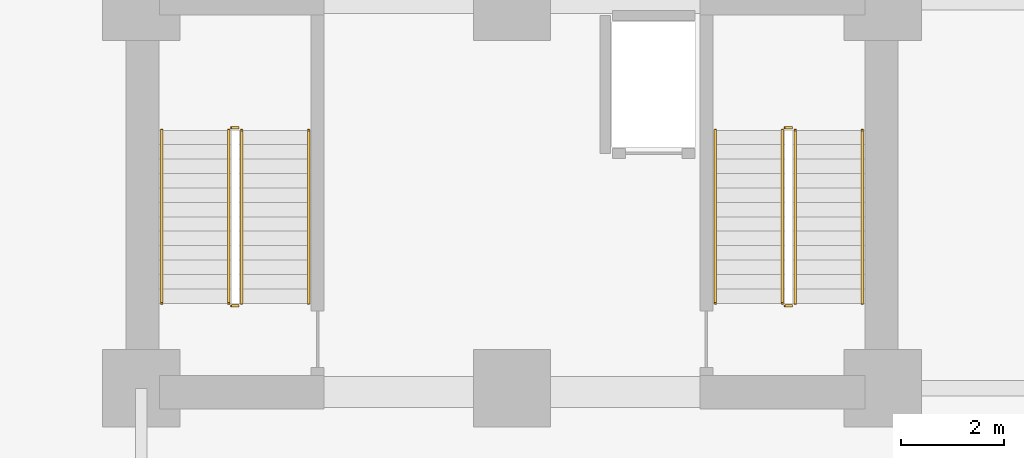
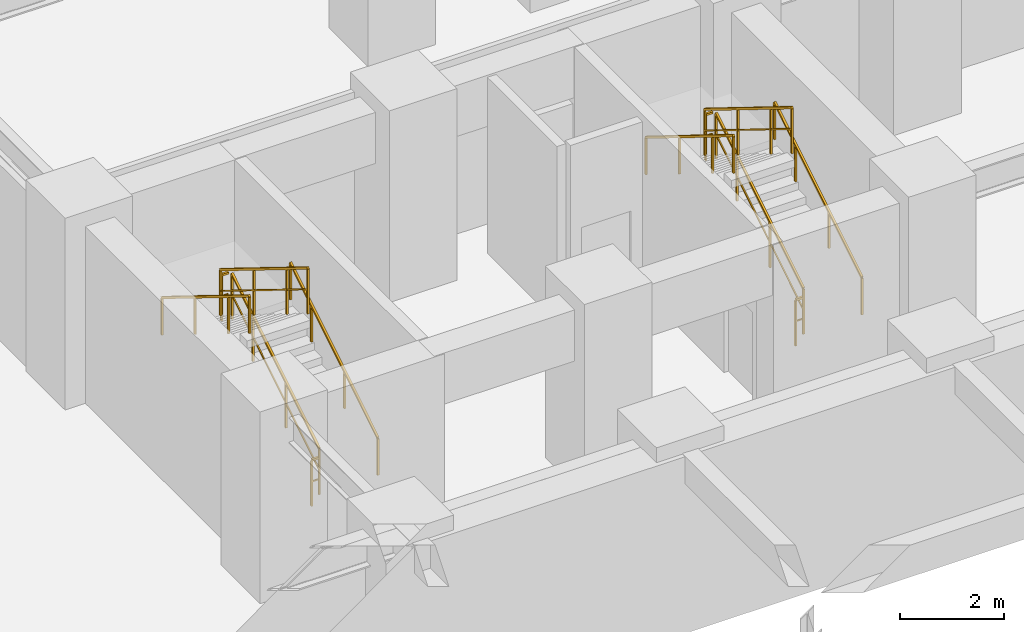
# One storey, part 10 of 11: 12 railings.
"""IFC4 building model written with IfcOpenShell, lengths in metres."""

from ifc_helpers import new_model, si_unit, direction, frame, origin, origin_2d, place, context, subcontext, project, spatial, rectangle, extrude, material, type_object, element, save


model = new_model("IFC4")

# Units and contexts
model_context = context("Model", 3, precision=1e-05, world=origin(), true_north=direction((0.0, 1.0)))
body_context = subcontext(model_context, "Body", "Model", "MODEL_VIEW")
ifc_project = project(units=[si_unit("LENGTHUNIT", "METRE"), si_unit("AREAUNIT", "SQUARE_METRE"), si_unit("VOLUMEUNIT", "CUBIC_METRE"), si_unit("PLANEANGLEUNIT", "RADIAN"), si_unit("MASSUNIT", "GRAM", prefix="KILO")], contexts=[model_context])

# Site, building, storey
site_placement = place(None, origin())
site = spatial("IfcSite", under=ifc_project, at=site_placement, CompositionType="ELEMENT")
building_placement = place(site_placement, origin())
building = spatial("IfcBuilding", under=site, at=building_placement, Name="Kaliganga Portal Commons", CompositionType="ELEMENT")
storey_placement = place(building_placement, frame((0.0, 0.0, -4.5)))
storey = spatial("IfcBuildingStorey", under=building, at=storey_placement, Name="B1", CompositionType="ELEMENT", Elevation=-4.5)

# Railings
ifc_material_1 = material(Name="Galvanized Painted Steel Balustrade", Category="steel")
railing_type_1 = type_object("IfcRailingType", Name="RLG-STAIR-GRD", PredefinedType="GUARDRAIL", material=ifc_material_1)
railing_1_placement = place(storey_placement, frame((37.949951171875, 8.699951171875, 0.173095703125)))
element("IfcRailing", 1, at=railing_1_placement, inside=storey, type_object=railing_type_1, Name="B1 ST-B1 stair guard 1", PredefinedType="GUARDRAIL", context=body_context, shape_type="SweptSolid", body=[
    extrude(rectangle(XDim=0.048095703125, YDim=0.048095703125, at=origin_2d()), frame((0.0, 0.0, 1.07177734375), z_axis=(0.0, 0.850623216509, 0.525775754039), x_axis=(-1.0, 0.0, 0.0)), (0.0, 0.0, 1.0), 3.9501953125),
    extrude(rectangle(XDim=0.028076171875, YDim=0.028076171875, at=origin_2d()), frame((0.0, 0.0, 0.572021484375), z_axis=(0.0, 0.850623216509, 0.525775754039), x_axis=(-1.0, 0.0, 0.0)), (0.0, 0.0, 1.0), 3.9501953125),
    extrude(rectangle(XDim=0.0419921875, YDim=0.0419921875, at=origin_2d()), origin(), (0.0, 0.0, 1.0), 1.052001953125),
    extrude(rectangle(XDim=0.0419921875, YDim=0.0419921875, at=origin_2d()), frame((0.0, 1.27587890625, 0.78857421875)), (0.0, 0.0, 1.0), 1.052001953125),
    extrude(rectangle(XDim=0.0419921875, YDim=0.0419921875, at=origin_2d()), frame((0.0, 2.5517578125, 1.577392578125)), (0.0, 0.0, 1.0), 1.052001953125),
    extrude(rectangle(XDim=0.0419921875, YDim=0.0419921875, at=origin_2d()), frame((0.0, 3.360107421875, 2.076904296875)), (0.0, 0.0, 1.0), 1.052001953125),
])
railing_2_placement = place(storey_placement, frame((37.89990234375, 12.110107421875, 2.25)))
element("IfcRailing", 2, at=railing_2_placement, inside=storey, type_object=railing_type_1, Name="B1 ST-B1 stair guard 2", PredefinedType="GUARDRAIL", context=body_context, shape_type="SweptSolid", body=[
    extrude(rectangle(XDim=0.048095703125, YDim=0.048095703125, at=origin_2d()), frame((0.0, 0.0, 1.076171875), z_axis=(-1.0, 0.0, 0.0), x_axis=(0.0, -1.0, 0.0)), (0.0, 0.0, 1.0), 0.14990234375),
    extrude(rectangle(XDim=0.028076171875, YDim=0.028076171875, at=origin_2d()), frame((0.0, 0.0, 0.572021484375), z_axis=(-1.0, 0.0, 0.0), x_axis=(0.0, -1.0, 0.0)), (0.0, 0.0, 1.0), 0.14990234375),
    extrude(rectangle(XDim=0.0419921875, YDim=0.0419921875, at=origin_2d()), frame((-0.14990234375, 0.0, 0.0)), (0.0, 0.0, 1.0), 1.052001953125),
])
railing_3_placement = place(storey_placement, frame((37.699951171875, 12.06005859375, 2.423095703125)))
element("IfcRailing", 3, at=railing_3_placement, inside=storey, type_object=railing_type_1, Name="B1 ST-B1 stair guard 3", PredefinedType="GUARDRAIL", context=body_context, shape_type="SweptSolid", body=[
    extrude(rectangle(XDim=0.048095703125, YDim=0.048095703125, at=origin_2d()), frame((0.0, 0.0, 1.07177734375), z_axis=(0.0, -0.850623216509, 0.525775754039), x_axis=(1.0, 0.0, 0.0)), (0.0, 0.0, 1.0), 3.9501953125),
    extrude(rectangle(XDim=0.028076171875, YDim=0.028076171875, at=origin_2d()), frame((0.0, 0.0, 0.572021484375), z_axis=(0.0, -0.850623216509, 0.525775754039), x_axis=(1.0, 0.0, 0.0)), (0.0, 0.0, 1.0), 3.9501953125),
    extrude(rectangle(XDim=0.0419921875, YDim=0.0419921875, at=origin_2d()), origin(), (0.0, 0.0, 1.0), 1.052001953125),
    extrude(rectangle(XDim=0.0419921875, YDim=0.0419921875, at=origin_2d()), frame((0.0, -1.27587890625, 0.78857421875)), (0.0, 0.0, 1.0), 1.052001953125),
    extrude(rectangle(XDim=0.0419921875, YDim=0.0419921875, at=origin_2d()), frame((0.0, -2.5517578125, 1.577392578125)), (0.0, 0.0, 1.0), 1.052001953125),
    extrude(rectangle(XDim=0.0419921875, YDim=0.0419921875, at=origin_2d()), frame((0.0, -3.360107421875, 2.076904296875)), (0.0, 0.0, 1.0), 1.052001953125),
])
railing_4_placement = place(storey_placement, frame((37.89990234375, 8.64990234375, 0.0)))
element("IfcRailing", 4, at=railing_4_placement, inside=storey, type_object=railing_type_1, Name="B1 ST-B1 stair guard 4", PredefinedType="GUARDRAIL", context=body_context, shape_type="SweptSolid", body=[
    extrude(rectangle(XDim=0.048095703125, YDim=0.048095703125, at=origin_2d()), frame((0.0, 0.0, 1.076171875), z_axis=(-1.0, 0.0, 0.0), x_axis=(0.0, -1.0, 0.0)), (0.0, 0.0, 1.0), 0.14990234375),
    extrude(rectangle(XDim=0.028076171875, YDim=0.028076171875, at=origin_2d()), frame((0.0, 0.0, 0.572021484375), z_axis=(-1.0, 0.0, 0.0), x_axis=(0.0, -1.0, 0.0)), (0.0, 0.0, 1.0), 0.14990234375),
    extrude(rectangle(XDim=0.0419921875, YDim=0.0419921875, at=origin_2d()), frame((-0.14990234375, 0.0, 0.0)), (0.0, 0.0, 1.0), 1.052001953125),
])
railing_5_placement = place(storey_placement, frame((48.699951171875, 8.699951171875, 0.173095703125)))
element("IfcRailing", 5, at=railing_5_placement, inside=storey, type_object=railing_type_1, Name="B1 ST-B2 stair guard 1", PredefinedType="GUARDRAIL", context=body_context, shape_type="SweptSolid", body=[
    extrude(rectangle(XDim=0.048095703125, YDim=0.048095703125, at=origin_2d()), frame((0.0, 0.0, 1.07177734375), z_axis=(0.0, 0.850623216509, 0.525775754039), x_axis=(-1.0, 0.0, 0.0)), (0.0, 0.0, 1.0), 3.9501953125),
    extrude(rectangle(XDim=0.028076171875, YDim=0.028076171875, at=origin_2d()), frame((0.0, 0.0, 0.572021484375), z_axis=(0.0, 0.850623216509, 0.525775754039), x_axis=(-1.0, 0.0, 0.0)), (0.0, 0.0, 1.0), 3.9501953125),
    extrude(rectangle(XDim=0.0419921875, YDim=0.0419921875, at=origin_2d()), origin(), (0.0, 0.0, 1.0), 1.052001953125),
    extrude(rectangle(XDim=0.0419921875, YDim=0.0419921875, at=origin_2d()), frame((0.0, 1.27587890625, 0.78857421875)), (0.0, 0.0, 1.0), 1.052001953125),
    extrude(rectangle(XDim=0.0419921875, YDim=0.0419921875, at=origin_2d()), frame((0.0, 2.5517578125, 1.577392578125)), (0.0, 0.0, 1.0), 1.052001953125),
    extrude(rectangle(XDim=0.0419921875, YDim=0.0419921875, at=origin_2d()), frame((0.0, 3.360107421875, 2.076904296875)), (0.0, 0.0, 1.0), 1.052001953125),
])
railing_6_placement = place(storey_placement, frame((48.64990234375, 12.110107421875, 2.25)))
element("IfcRailing", 6, at=railing_6_placement, inside=storey, type_object=railing_type_1, Name="B1 ST-B2 stair guard 2", PredefinedType="GUARDRAIL", context=body_context, shape_type="SweptSolid", body=[
    extrude(rectangle(XDim=0.048095703125, YDim=0.048095703125, at=origin_2d()), frame((0.0, 0.0, 1.076171875), z_axis=(-1.0, 0.0, 0.0), x_axis=(0.0, -1.0, 0.0)), (0.0, 0.0, 1.0), 0.14990234375),
    extrude(rectangle(XDim=0.028076171875, YDim=0.028076171875, at=origin_2d()), frame((0.0, 0.0, 0.572021484375), z_axis=(-1.0, 0.0, 0.0), x_axis=(0.0, -1.0, 0.0)), (0.0, 0.0, 1.0), 0.14990234375),
    extrude(rectangle(XDim=0.0419921875, YDim=0.0419921875, at=origin_2d()), frame((-0.14990234375, 0.0, 0.0)), (0.0, 0.0, 1.0), 1.052001953125),
])
railing_7_placement = place(storey_placement, frame((48.449951171875, 12.06005859375, 2.423095703125)))
element("IfcRailing", 7, at=railing_7_placement, inside=storey, type_object=railing_type_1, Name="B1 ST-B2 stair guard 3", PredefinedType="GUARDRAIL", context=body_context, shape_type="SweptSolid", body=[
    extrude(rectangle(XDim=0.048095703125, YDim=0.048095703125, at=origin_2d()), frame((0.0, 0.0, 1.07177734375), z_axis=(0.0, -0.850623216509, 0.525775754039), x_axis=(1.0, 0.0, 0.0)), (0.0, 0.0, 1.0), 3.9501953125),
    extrude(rectangle(XDim=0.028076171875, YDim=0.028076171875, at=origin_2d()), frame((0.0, 0.0, 0.572021484375), z_axis=(0.0, -0.850623216509, 0.525775754039), x_axis=(1.0, 0.0, 0.0)), (0.0, 0.0, 1.0), 3.9501953125),
    extrude(rectangle(XDim=0.0419921875, YDim=0.0419921875, at=origin_2d()), origin(), (0.0, 0.0, 1.0), 1.052001953125),
    extrude(rectangle(XDim=0.0419921875, YDim=0.0419921875, at=origin_2d()), frame((0.0, -1.27587890625, 0.78857421875)), (0.0, 0.0, 1.0), 1.052001953125),
    extrude(rectangle(XDim=0.0419921875, YDim=0.0419921875, at=origin_2d()), frame((0.0, -2.5517578125, 1.577392578125)), (0.0, 0.0, 1.0), 1.052001953125),
    extrude(rectangle(XDim=0.0419921875, YDim=0.0419921875, at=origin_2d()), frame((0.0, -3.360107421875, 2.076904296875)), (0.0, 0.0, 1.0), 1.052001953125),
])
railing_8_placement = place(storey_placement, frame((48.64990234375, 8.64990234375, 0.0)))
element("IfcRailing", 8, at=railing_8_placement, inside=storey, type_object=railing_type_1, Name="B1 ST-B2 stair guard 4", PredefinedType="GUARDRAIL", context=body_context, shape_type="SweptSolid", body=[
    extrude(rectangle(XDim=0.048095703125, YDim=0.048095703125, at=origin_2d()), frame((0.0, 0.0, 1.076171875), z_axis=(-1.0, 0.0, 0.0), x_axis=(0.0, -1.0, 0.0)), (0.0, 0.0, 1.0), 0.14990234375),
    extrude(rectangle(XDim=0.028076171875, YDim=0.028076171875, at=origin_2d()), frame((0.0, 0.0, 0.572021484375), z_axis=(-1.0, 0.0, 0.0), x_axis=(0.0, -1.0, 0.0)), (0.0, 0.0, 1.0), 0.14990234375),
    extrude(rectangle(XDim=0.0419921875, YDim=0.0419921875, at=origin_2d()), frame((-0.14990234375, 0.0, 0.0)), (0.0, 0.0, 1.0), 1.052001953125),
])
ifc_material_2 = material(Name="Brushed Stainless Steel 316", Category="steel")
railing_type_2 = type_object("IfcRailingType", Name="RLG-STAIR-HR", PredefinedType="HANDRAIL", material=ifc_material_2)
railing_9_placement = place(storey_placement, frame((39.25, 8.699951171875, 0.173095703125)))
element("IfcRailing", 9, at=railing_9_placement, inside=storey, type_object=railing_type_2, Name="B1 ST-B1 stair handrail 1", PredefinedType="HANDRAIL", context=body_context, shape_type="SweptSolid", body=[
    extrude(rectangle(XDim=0.048095703125, YDim=0.048095703125, at=origin_2d()), frame((0.0, 0.0, 0.87158203125), z_axis=(0.0, 0.850623216509, 0.525775754039), x_axis=(-1.0, 0.0, 0.0)), (0.0, 0.0, 1.0), 3.9501953125),
    extrude(rectangle(XDim=0.0419921875, YDim=0.0419921875, at=origin_2d()), origin(), (0.0, 0.0, 1.0), 0.851806640625),
    extrude(rectangle(XDim=0.0419921875, YDim=0.0419921875, at=origin_2d()), frame((0.0, 1.27587890625, 0.78857421875)), (0.0, 0.0, 1.0), 0.851806640625),
    extrude(rectangle(XDim=0.0419921875, YDim=0.0419921875, at=origin_2d()), frame((0.0, 2.5517578125, 1.577392578125)), (0.0, 0.0, 1.0), 0.851806640625),
    extrude(rectangle(XDim=0.0419921875, YDim=0.0419921875, at=origin_2d()), frame((0.0, 3.360107421875, 2.076904296875)), (0.0, 0.0, 1.0), 0.851806640625),
])
railing_10_placement = place(storey_placement, frame((36.39990234375, 12.06005859375, 2.423095703125)))
element("IfcRailing", 10, at=railing_10_placement, inside=storey, type_object=railing_type_2, Name="B1 ST-B1 stair handrail 2", PredefinedType="HANDRAIL", context=body_context, shape_type="SweptSolid", body=[
    extrude(rectangle(XDim=0.048095703125, YDim=0.048095703125, at=origin_2d()), frame((0.0, 0.0, 0.87158203125), z_axis=(0.0, -0.850623216509, 0.525775754039), x_axis=(1.0, 0.0, 0.0)), (0.0, 0.0, 1.0), 3.9501953125),
    extrude(rectangle(XDim=0.0419921875, YDim=0.0419921875, at=origin_2d()), origin(), (0.0, 0.0, 1.0), 0.851806640625),
    extrude(rectangle(XDim=0.0419921875, YDim=0.0419921875, at=origin_2d()), frame((0.0, -1.27587890625, 0.78857421875)), (0.0, 0.0, 1.0), 0.851806640625),
    extrude(rectangle(XDim=0.0419921875, YDim=0.0419921875, at=origin_2d()), frame((0.0, -2.5517578125, 1.577392578125)), (0.0, 0.0, 1.0), 0.851806640625),
    extrude(rectangle(XDim=0.0419921875, YDim=0.0419921875, at=origin_2d()), frame((0.0, -3.360107421875, 2.076904296875)), (0.0, 0.0, 1.0), 0.851806640625),
])
railing_11_placement = place(storey_placement, frame((50.0, 8.699951171875, 0.173095703125)))
element("IfcRailing", 11, at=railing_11_placement, inside=storey, type_object=railing_type_2, Name="B1 ST-B2 stair handrail 1", PredefinedType="HANDRAIL", context=body_context, shape_type="SweptSolid", body=[
    extrude(rectangle(XDim=0.048095703125, YDim=0.048095703125, at=origin_2d()), frame((0.0, 0.0, 0.87158203125), z_axis=(0.0, 0.850623216509, 0.525775754039), x_axis=(-1.0, 0.0, 0.0)), (0.0, 0.0, 1.0), 3.9501953125),
    extrude(rectangle(XDim=0.0419921875, YDim=0.0419921875, at=origin_2d()), origin(), (0.0, 0.0, 1.0), 0.851806640625),
    extrude(rectangle(XDim=0.0419921875, YDim=0.0419921875, at=origin_2d()), frame((0.0, 1.27587890625, 0.78857421875)), (0.0, 0.0, 1.0), 0.851806640625),
    extrude(rectangle(XDim=0.0419921875, YDim=0.0419921875, at=origin_2d()), frame((0.0, 2.5517578125, 1.577392578125)), (0.0, 0.0, 1.0), 0.851806640625),
    extrude(rectangle(XDim=0.0419921875, YDim=0.0419921875, at=origin_2d()), frame((0.0, 3.360107421875, 2.076904296875)), (0.0, 0.0, 1.0), 0.851806640625),
])
railing_12_placement = place(storey_placement, frame((47.14990234375, 12.06005859375, 2.423095703125)))
element("IfcRailing", 12, at=railing_12_placement, inside=storey, type_object=railing_type_2, Name="B1 ST-B2 stair handrail 2", PredefinedType="HANDRAIL", context=body_context, shape_type="SweptSolid", body=[
    extrude(rectangle(XDim=0.048095703125, YDim=0.048095703125, at=origin_2d()), frame((0.0, 0.0, 0.87158203125), z_axis=(0.0, -0.850623216509, 0.525775754039), x_axis=(1.0, 0.0, 0.0)), (0.0, 0.0, 1.0), 3.9501953125),
    extrude(rectangle(XDim=0.0419921875, YDim=0.0419921875, at=origin_2d()), origin(), (0.0, 0.0, 1.0), 0.851806640625),
    extrude(rectangle(XDim=0.0419921875, YDim=0.0419921875, at=origin_2d()), frame((0.0, -1.27587890625, 0.78857421875)), (0.0, 0.0, 1.0), 0.851806640625),
    extrude(rectangle(XDim=0.0419921875, YDim=0.0419921875, at=origin_2d()), frame((0.0, -2.5517578125, 1.577392578125)), (0.0, 0.0, 1.0), 0.851806640625),
    extrude(rectangle(XDim=0.0419921875, YDim=0.0419921875, at=origin_2d()), frame((0.0, -3.360107421875, 2.076904296875)), (0.0, 0.0, 1.0), 0.851806640625),
])

save(model, "model.ifc")
